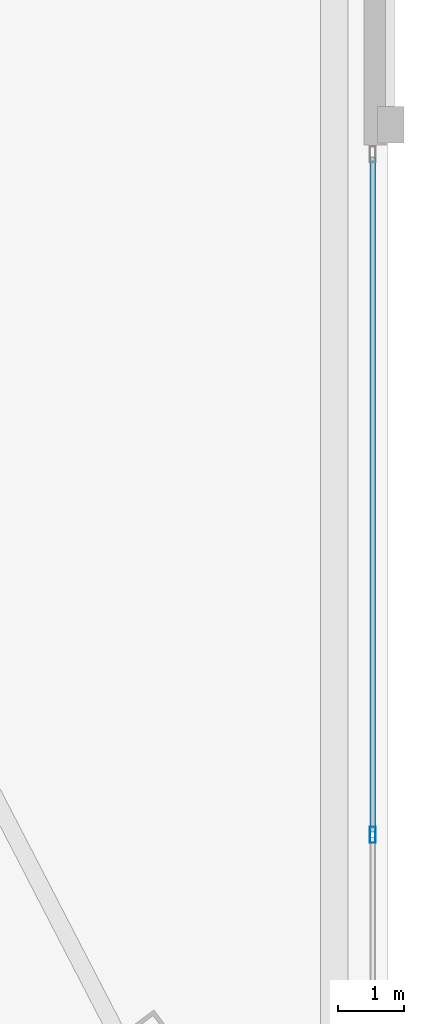
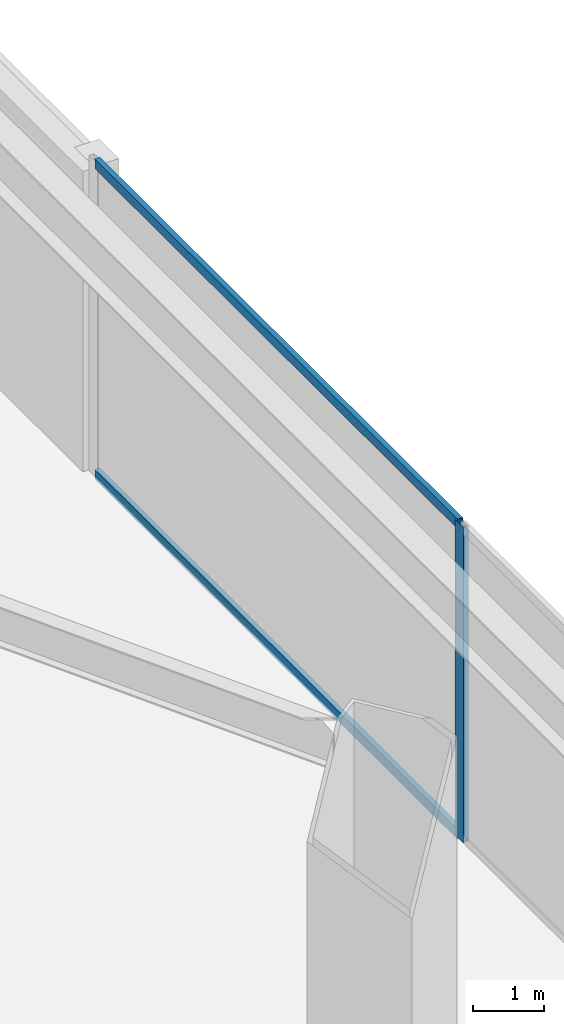
# One storey, part 31 of 48: 3 members, 1 element without a shape of its own.
"""IFC4 building model written with IfcOpenShell, lengths in metres."""

from ifc_helpers import new_model, si_unit, direction, frame, origin, origin_2d, place, context, subcontext, project, spatial, hollow_rectangle, extrude, material, material_profile, profile_set, type_object, element, aggregate, save


model = new_model("IFC4")

# Units and contexts
model_context = context("Model", 3, precision=1e-05, world=origin(), true_north=direction((0.0, 1.0)))
body_context = subcontext(model_context, "Body", "Model", "MODEL_VIEW")
ifc_project = project(units=[si_unit("LENGTHUNIT", "METRE"), si_unit("AREAUNIT", "SQUARE_METRE"), si_unit("VOLUMEUNIT", "CUBIC_METRE"), si_unit("PLANEANGLEUNIT", "RADIAN"), si_unit("MASSUNIT", "GRAM", prefix="KILO")], contexts=[model_context])

# Site, building, storey
site_placement = place(None, origin())
site = spatial("IfcSite", under=ifc_project, at=site_placement, CompositionType="ELEMENT")
building_placement = place(site_placement, origin())
building = spatial("IfcBuilding", under=site, at=building_placement, Name="Tashvorn Skyway Center", CompositionType="ELEMENT")
storey_placement = place(building_placement, frame((0.0, 0.0, 10.199951171875)))
storey = spatial("IfcBuildingStorey", under=building, at=storey_placement, Name="L02", CompositionType="ELEMENT", Elevation=10.199951171875)

# Curtain wall, members
ifc_material = material(Name="Thermally broken bronze-anodized aluminium 6063-T6", Category="aluminium")
curtain_wall_type = type_object("IfcCurtainWallType", Name="CW-CW-Z1", PredefinedType="NOTDEFINED", material=ifc_material)
curtain_wall_placement = place(storey_placement, origin())
curtain_wall = element("IfcCurtainWall", 1, at=curtain_wall_placement, inside=storey, type_object=curtain_wall_type, Name="L02 East Station Concourse Curtain Wall", PredefinedType="NOTDEFINED")
ifc_material_profile_1 = material_profile(ifc_material, hollow_rectangle(XDim=0.0849609375, YDim=0.239990234375, WallThickness=0.0048828125, at=origin_2d()), Name="ALU-MULL-85x240")
ifc_profile_set_1 = profile_set([ifc_material_profile_1], Name="Thermally broken bronze-anodized aluminium 6063-T6")
member_type_1 = type_object("IfcMemberType", Name="CWM-CW-Z1", PredefinedType="MULLION", material=ifc_profile_set_1)
member_1_placement = place(storey_placement, frame((143.780029296875, 32.0, 0.0), z_axis=(0.0, 0.0, 1.0), x_axis=(1.0, 0.0, 0.0)))
member_1 = element("IfcMember", 2, at=member_1_placement, type_object=member_type_1, Name="CW-Z1 mullion 2", PredefinedType="MULLION", context=body_context, shape_type="SweptSolid", body=[
    extrude(hollow_rectangle(XDim=0.0849609375, YDim=0.239990234375, WallThickness=0.0048828125, at=origin_2d()), origin(), (0.0, 0.0, 1.0), 5.400146484375),
])
ifc_material_profile_2 = material_profile(ifc_material, hollow_rectangle(XDim=0.0849609375, YDim=0.1650390625, WallThickness=0.0048828125, at=origin_2d()), Name="ALU-TRAN-85x165")
ifc_profile_set_2 = profile_set([ifc_material_profile_2], Name="Thermally broken bronze-anodized aluminium 6063-T6")
member_type_2 = type_object("IfcMemberType", Name="CWT-CW-Z1", PredefinedType="USERDEFINED", material=ifc_profile_set_2)
member_2_placement = place(storey_placement, frame((143.780029296875, 42.215087890625, 0.04248046875), z_axis=(0.0, -1.0, 0.0), x_axis=(1.0, 0.0, 0.0)))
member_2 = element("IfcMember", 3, at=member_2_placement, type_object=member_type_2, Name="CW-Z1 transom 1.1", ObjectType="TRANSOM", PredefinedType="USERDEFINED", context=body_context, shape_type="SweptSolid", body=[
    extrude(hollow_rectangle(XDim=0.0849609375, YDim=0.1650390625, WallThickness=0.0048828125, at=origin_2d()), origin(), (0.0, 0.0, 1.0), 10.172607421875),
])
member_3_placement = place(storey_placement, frame((143.780029296875, 42.215087890625, 5.357666015625), z_axis=(0.0, -1.0, 0.0), x_axis=(1.0, 0.0, 0.0)))
member_3 = element("IfcMember", 4, at=member_3_placement, type_object=member_type_2, Name="CW-Z1 transom 1.2", ObjectType="TRANSOM", PredefinedType="USERDEFINED", context=body_context, shape_type="SweptSolid", body=[
    extrude(hollow_rectangle(XDim=0.0849609375, YDim=0.1650390625, WallThickness=0.0048828125, at=origin_2d()), origin(), (0.0, 0.0, 1.0), 10.172607421875),
])
aggregate(curtain_wall, [member_1, member_2, member_3])

save(model, "model.ifc")
